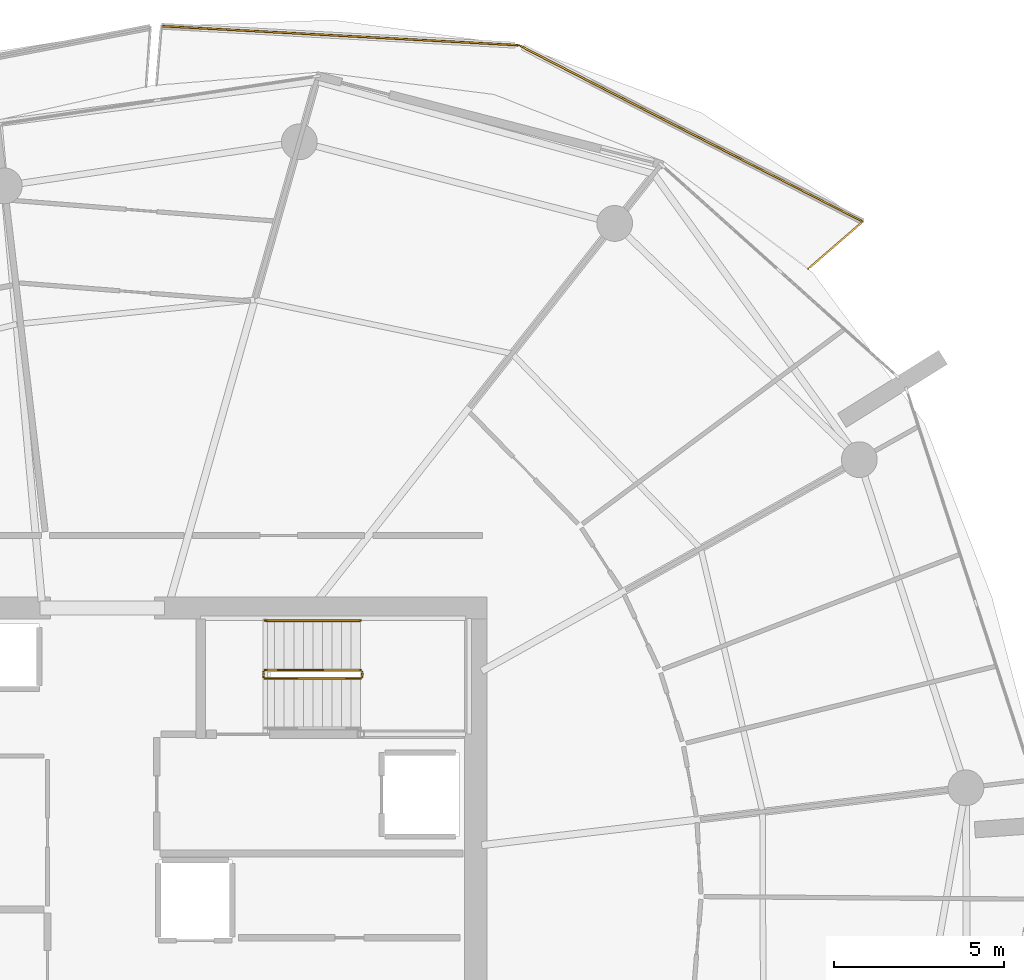
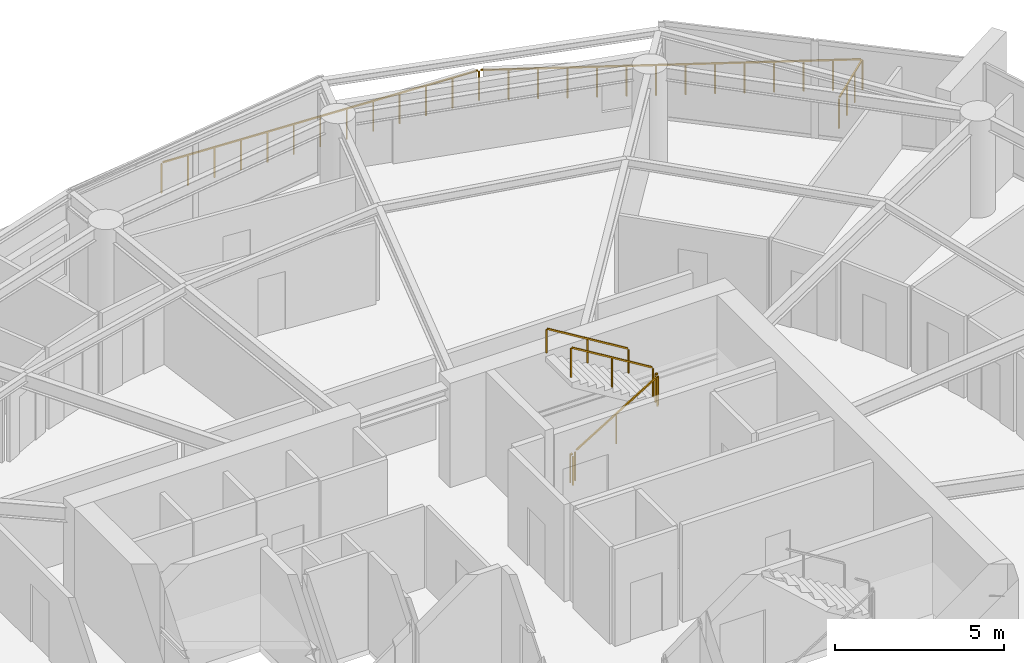
# One storey, part 20 of 20: 8 railings.
"""IFC4 building model written with IfcOpenShell, lengths in metres."""

from ifc_helpers import new_model, si_unit, direction, frame, origin, origin_2d, place, context, subcontext, project, spatial, rectangle, extrude, material, type_object, element, save


model = new_model("IFC4")

# Units and contexts
model_context = context("Model", 3, precision=1e-05, world=origin(), true_north=direction((0.0, 1.0)))
body_context = subcontext(model_context, "Body", "Model", "MODEL_VIEW")
ifc_project = project(units=[si_unit("LENGTHUNIT", "METRE"), si_unit("AREAUNIT", "SQUARE_METRE"), si_unit("VOLUMEUNIT", "CUBIC_METRE"), si_unit("PLANEANGLEUNIT", "RADIAN"), si_unit("MASSUNIT", "GRAM", prefix="KILO")], contexts=[model_context])

# Site, building, storey
site_placement = place(None, origin())
site = spatial("IfcSite", under=ifc_project, at=site_placement, CompositionType="ELEMENT")
building_placement = place(site_placement, origin())
building = spatial("IfcBuilding", under=site, at=building_placement, Name="Kazma Halo Residences", CompositionType="ELEMENT")
storey_placement = place(building_placement, frame((0.0, 0.0, 206.550048828125)))
storey = spatial("IfcBuildingStorey", under=building, at=storey_placement, Name="L52", CompositionType="ELEMENT", Elevation=206.550048828125)

# Railings
ifc_material_1 = material(Name="Aluminium AW-6063 T6 Brushed Cap Rail", Category="aluminium")
railing_type_1 = type_object("IfcRailingType", Name="RLG-BAL-CAP-1120", PredefinedType="BALUSTRADE", material=ifc_material_1)
railing_1_placement = place(storey_placement, frame((69.130126953125, 60.271240234375, 0.0)))
element("IfcRailing", 1, at=railing_1_placement, inside=storey, type_object=railing_type_1, Name="L52 NE wave balcony guard 1", PredefinedType="BALUSTRADE", context=body_context, shape_type="SweptSolid", body=[
    extrude(rectangle(XDim=0.050048828125, YDim=0.050048828125, at=origin_2d()), frame((0.0322265625, 0.02783203125, 1.09521484375), z_axis=(0.756463763216, 0.654035606783, 0.0), x_axis=(-0.654035606783, 0.756463763216, 0.0)), (0.0, 0.0, 1.0), 2.0244140625),
    extrude(rectangle(XDim=0.0400390625, YDim=0.0400390625, at=origin_2d()), origin(), (0.0, 0.0, 1.0), 1.05810546875),
    extrude(rectangle(XDim=0.0400390625, YDim=0.0400390625, at=origin_2d()), frame((0.531982421875, 0.4599609375, 0.0)), (0.0, 0.0, 1.0), 1.05810546875),
    extrude(rectangle(XDim=0.0400390625, YDim=0.0400390625, at=origin_2d()), frame((1.063720703125, 0.919677734375, 0.0)), (0.0, 0.0, 1.0), 1.05810546875),
    extrude(rectangle(XDim=0.0400390625, YDim=0.0400390625, at=origin_2d()), frame((1.595703125, 1.379638671875, 0.0)), (0.0, 0.0, 1.0), 1.05810546875),
])
railing_2_placement = place(storey_placement, frame((70.725830078125, 61.65087890625, 0.0)))
element("IfcRailing", 2, at=railing_2_placement, inside=storey, type_object=railing_type_1, Name="L52 NE wave balcony guard 2", PredefinedType="BALUSTRADE", context=body_context, shape_type="SweptSolid", body=[
    extrude(rectangle(XDim=0.050048828125, YDim=0.050048828125, at=origin_2d()), frame((-0.037841796875, 0.01953125, 1.09521484375), z_axis=(-0.889661682409, 0.456620291766, 0.0), x_axis=(-0.456620291766, -0.889661682409, 0.0)), (0.0, 0.0, 1.0), 11.242431640625),
    extrude(rectangle(XDim=0.0400390625, YDim=0.0400390625, at=origin_2d()), origin(), (0.0, 0.0, 1.0), 1.05810546875),
    extrude(rectangle(XDim=0.0400390625, YDim=0.0400390625, at=origin_2d()), frame((-0.775146484375, 0.39794921875, 0.0)), (0.0, 0.0, 1.0), 1.05810546875),
    extrude(rectangle(XDim=0.0400390625, YDim=0.0400390625, at=origin_2d()), frame((-1.55029296875, 0.795654296875, 0.0)), (0.0, 0.0, 1.0), 1.05810546875),
    extrude(rectangle(XDim=0.0400390625, YDim=0.0400390625, at=origin_2d()), frame((-2.32568359375, 1.193603515625, 0.0)), (0.0, 0.0, 1.0), 1.05810546875),
    extrude(rectangle(XDim=0.0400390625, YDim=0.0400390625, at=origin_2d()), frame((-3.100830078125, 1.591552734375, 0.0)), (0.0, 0.0, 1.0), 1.05810546875),
    extrude(rectangle(XDim=0.0400390625, YDim=0.0400390625, at=origin_2d()), frame((-3.8759765625, 1.9892578125, 0.0)), (0.0, 0.0, 1.0), 1.05810546875),
    extrude(rectangle(XDim=0.0400390625, YDim=0.0400390625, at=origin_2d()), frame((-4.651123046875, 2.38720703125, 0.0)), (0.0, 0.0, 1.0), 1.05810546875),
    extrude(rectangle(XDim=0.0400390625, YDim=0.0400390625, at=origin_2d()), frame((-5.426513671875, 2.78515625, 0.0)), (0.0, 0.0, 1.0), 1.05810546875),
    extrude(rectangle(XDim=0.0400390625, YDim=0.0400390625, at=origin_2d()), frame((-6.20166015625, 3.18310546875, 0.0)), (0.0, 0.0, 1.0), 1.05810546875),
    extrude(rectangle(XDim=0.0400390625, YDim=0.0400390625, at=origin_2d()), frame((-6.976806640625, 3.580810546875, 0.0)), (0.0, 0.0, 1.0), 1.05810546875),
    extrude(rectangle(XDim=0.0400390625, YDim=0.0400390625, at=origin_2d()), frame((-7.751953125, 3.978759765625, 0.0)), (0.0, 0.0, 1.0), 1.05810546875),
    extrude(rectangle(XDim=0.0400390625, YDim=0.0400390625, at=origin_2d()), frame((-8.52734375, 4.376708984375, 0.0)), (0.0, 0.0, 1.0), 1.05810546875),
    extrude(rectangle(XDim=0.0400390625, YDim=0.0400390625, at=origin_2d()), frame((-9.302490234375, 4.7744140625, 0.0)), (0.0, 0.0, 1.0), 1.05810546875),
    extrude(rectangle(XDim=0.0400390625, YDim=0.0400390625, at=origin_2d()), frame((-10.07763671875, 5.17236328125, 0.0)), (0.0, 0.0, 1.0), 1.05810546875),
])
railing_3_placement = place(storey_placement, frame((60.648193359375, 66.8232421875, 0.0)))
element("IfcRailing", 3, at=railing_3_placement, inside=storey, type_object=railing_type_1, Name="L52 NE wave balcony guard 3", PredefinedType="BALUSTRADE", context=body_context, shape_type="SweptSolid", body=[
    extrude(rectangle(XDim=0.050048828125, YDim=0.050048828125, at=origin_2d()), frame((-0.04248046875, 0.002197265625, 1.09521484375), z_axis=(-0.998572804147, 0.05340744159, 0.0), x_axis=(-0.05340744159, -0.998572804147, 0.0)), (0.0, 0.0, 1.0), 10.42431640625),
    extrude(rectangle(XDim=0.0400390625, YDim=0.0400390625, at=origin_2d()), origin(), (0.0, 0.0, 1.0), 1.05810546875),
    extrude(rectangle(XDim=0.0400390625, YDim=0.0400390625, at=origin_2d()), frame((-0.87451171875, 0.046875, 0.0)), (0.0, 0.0, 1.0), 1.05810546875),
    extrude(rectangle(XDim=0.0400390625, YDim=0.0400390625, at=origin_2d()), frame((-1.7490234375, 0.093505859375, 0.0)), (0.0, 0.0, 1.0), 1.05810546875),
    extrude(rectangle(XDim=0.0400390625, YDim=0.0400390625, at=origin_2d()), frame((-2.62353515625, 0.140380859375, 0.0)), (0.0, 0.0, 1.0), 1.05810546875),
    extrude(rectangle(XDim=0.0400390625, YDim=0.0400390625, at=origin_2d()), frame((-3.498046875, 0.18701171875, 0.0)), (0.0, 0.0, 1.0), 1.05810546875),
    extrude(rectangle(XDim=0.0400390625, YDim=0.0400390625, at=origin_2d()), frame((-4.37255859375, 0.23388671875, 0.0)), (0.0, 0.0, 1.0), 1.05810546875),
    extrude(rectangle(XDim=0.0400390625, YDim=0.0400390625, at=origin_2d()), frame((-5.2470703125, 0.28076171875, 0.0)), (0.0, 0.0, 1.0), 1.05810546875),
    extrude(rectangle(XDim=0.0400390625, YDim=0.0400390625, at=origin_2d()), frame((-6.121826171875, 0.327392578125, 0.0)), (0.0, 0.0, 1.0), 1.05810546875),
    extrude(rectangle(XDim=0.0400390625, YDim=0.0400390625, at=origin_2d()), frame((-6.996337890625, 0.374267578125, 0.0)), (0.0, 0.0, 1.0), 1.05810546875),
    extrude(rectangle(XDim=0.0400390625, YDim=0.0400390625, at=origin_2d()), frame((-7.870849609375, 0.4208984375, 0.0)), (0.0, 0.0, 1.0), 1.05810546875),
    extrude(rectangle(XDim=0.0400390625, YDim=0.0400390625, at=origin_2d()), frame((-8.745361328125, 0.4677734375, 0.0)), (0.0, 0.0, 1.0), 1.05810546875),
    extrude(rectangle(XDim=0.0400390625, YDim=0.0400390625, at=origin_2d()), frame((-9.619873046875, 0.514404296875, 0.0)), (0.0, 0.0, 1.0), 1.05810546875),
    extrude(rectangle(XDim=0.0400390625, YDim=0.0400390625, at=origin_2d()), frame((-10.494384765625, 0.561279296875, 0.0)), (0.0, 0.0, 1.0), 1.05810546875),
])
ifc_material_2 = material(Name="Painted Steel S355", Category="steel")
railing_type_2 = type_object("IfcRailingType", Name="RLG-STAIR-GRD-1100", PredefinedType="GUARDRAIL", material=ifc_material_2)
railing_4_placement = place(storey_placement, frame((53.199951171875, 48.25, 0.17041015625)))
element("IfcRailing", 4, at=railing_4_placement, inside=storey, type_object=railing_type_2, Name="L52 ST-02 stair guard 1", PredefinedType="GUARDRAIL", context=body_context, shape_type="SweptSolid", body=[
    extrude(rectangle(XDim=0.050048828125, YDim=0.050048828125, at=origin_2d()), frame((0.036376953125, 0.0, 1.09716796875), z_axis=(0.854169791009, 0.0, 0.51999420009), x_axis=(0.0, 1.0, 0.0)), (0.0, 0.0, 1.0), 3.193115234375),
    extrude(rectangle(XDim=0.0400390625, YDim=0.0400390625, at=origin_2d()), origin(), (0.0, 0.0, 1.0), 1.0380859375),
    extrude(rectangle(XDim=0.0400390625, YDim=0.0400390625, at=origin_2d()), frame((1.39990234375, 0.0, 0.852294921875)), (0.0, 0.0, 1.0), 1.0380859375),
    extrude(rectangle(XDim=0.0400390625, YDim=0.0400390625, at=origin_2d()), frame((2.800048828125, 0.0, 1.70458984375)), (0.0, 0.0, 1.0), 1.0380859375),
])
railing_5_placement = place(storey_placement, frame((56.050048828125, 48.300048828125, 1.875)))
element("IfcRailing", 5, at=railing_5_placement, inside=storey, type_object=railing_type_2, Name="L52 ST-02 stair guard 2", PredefinedType="GUARDRAIL", context=body_context, shape_type="SweptSolid", body=[
    extrude(rectangle(XDim=0.050048828125, YDim=0.050048828125, at=origin_2d()), frame((0.0, 0.04248046875, 1.0751953125), z_axis=(0.0, 1.0, 0.0), x_axis=(-1.0, 0.0, 0.0)), (0.0, 0.0, 1.0), 0.06494140625),
    extrude(rectangle(XDim=0.0400390625, YDim=0.0400390625, at=origin_2d()), origin(), (0.0, 0.0, 1.0), 1.0380859375),
    extrude(rectangle(XDim=0.0400390625, YDim=0.0400390625, at=origin_2d()), frame((0.0, 0.14990234375, 0.0)), (0.0, 0.0, 1.0), 1.0380859375),
])
railing_6_placement = place(storey_placement, frame((56.0, 48.5, 2.04541015625)))
element("IfcRailing", 6, at=railing_6_placement, inside=storey, type_object=railing_type_2, Name="L52 ST-02 stair guard 3", PredefinedType="GUARDRAIL", context=body_context, shape_type="SweptSolid", body=[
    extrude(rectangle(XDim=0.050048828125, YDim=0.050048828125, at=origin_2d()), frame((-0.036376953125, 0.0, 1.09716796875), z_axis=(-0.854169791009, 0.0, 0.51999420009), x_axis=(0.0, -1.0, 0.0)), (0.0, 0.0, 1.0), 3.193115234375),
    extrude(rectangle(XDim=0.0400390625, YDim=0.0400390625, at=origin_2d()), origin(), (0.0, 0.0, 1.0), 1.0380859375),
    extrude(rectangle(XDim=0.0400390625, YDim=0.0400390625, at=origin_2d()), frame((-1.39990234375, 0.0, 0.852294921875)), (0.0, 0.0, 1.0), 1.0380859375),
    extrude(rectangle(XDim=0.0400390625, YDim=0.0400390625, at=origin_2d()), frame((-2.800048828125, 0.0, 1.70458984375)), (0.0, 0.0, 1.0), 1.0380859375),
])
railing_7_placement = place(storey_placement, frame((53.14990234375, 48.300048828125, 0.0)))
element("IfcRailing", 7, at=railing_7_placement, inside=storey, type_object=railing_type_2, Name="L52 ST-02 stair guard 4", PredefinedType="GUARDRAIL", context=body_context, shape_type="SweptSolid", body=[
    extrude(rectangle(XDim=0.050048828125, YDim=0.050048828125, at=origin_2d()), frame((0.0, 0.04248046875, 1.0751953125), z_axis=(0.0, 1.0, 0.0), x_axis=(-1.0, 0.0, 0.0)), (0.0, 0.0, 1.0), 0.06494140625),
    extrude(rectangle(XDim=0.0400390625, YDim=0.0400390625, at=origin_2d()), origin(), (0.0, 0.0, 1.0), 1.0380859375),
    extrude(rectangle(XDim=0.0400390625, YDim=0.0400390625, at=origin_2d()), frame((0.0, 0.14990234375, 0.0)), (0.0, 0.0, 1.0), 1.0380859375),
])
ifc_material_3 = material(Name="Brushed Stainless Steel", Category="steel")
railing_type_3 = type_object("IfcRailingType", Name="RLG-STAIR-HND-900", PredefinedType="HANDRAIL", material=ifc_material_3)
railing_8_placement = place(storey_placement, frame((56.0, 49.949951171875, 2.04541015625)))
element("IfcRailing", 8, at=railing_8_placement, inside=storey, type_object=railing_type_3, Name="L52 ST-02 stair handrail 2", PredefinedType="HANDRAIL", context=body_context, shape_type="SweptSolid", body=[
    extrude(rectangle(XDim=0.050048828125, YDim=0.050048828125, at=origin_2d()), frame((-0.036376953125, 0.0, 0.89697265625), z_axis=(-0.854169791009, 0.0, 0.51999420009), x_axis=(0.0, -1.0, 0.0)), (0.0, 0.0, 1.0), 3.193115234375),
    extrude(rectangle(XDim=0.0400390625, YDim=0.0400390625, at=origin_2d()), origin(), (0.0, 0.0, 1.0), 0.837890625),
    extrude(rectangle(XDim=0.0400390625, YDim=0.0400390625, at=origin_2d()), frame((-1.39990234375, 0.0, 0.852294921875)), (0.0, 0.0, 1.0), 0.837890625),
    extrude(rectangle(XDim=0.0400390625, YDim=0.0400390625, at=origin_2d()), frame((-2.800048828125, 0.0, 1.70458984375)), (0.0, 0.0, 1.0), 0.837890625),
])

save(model, "model.ifc")
